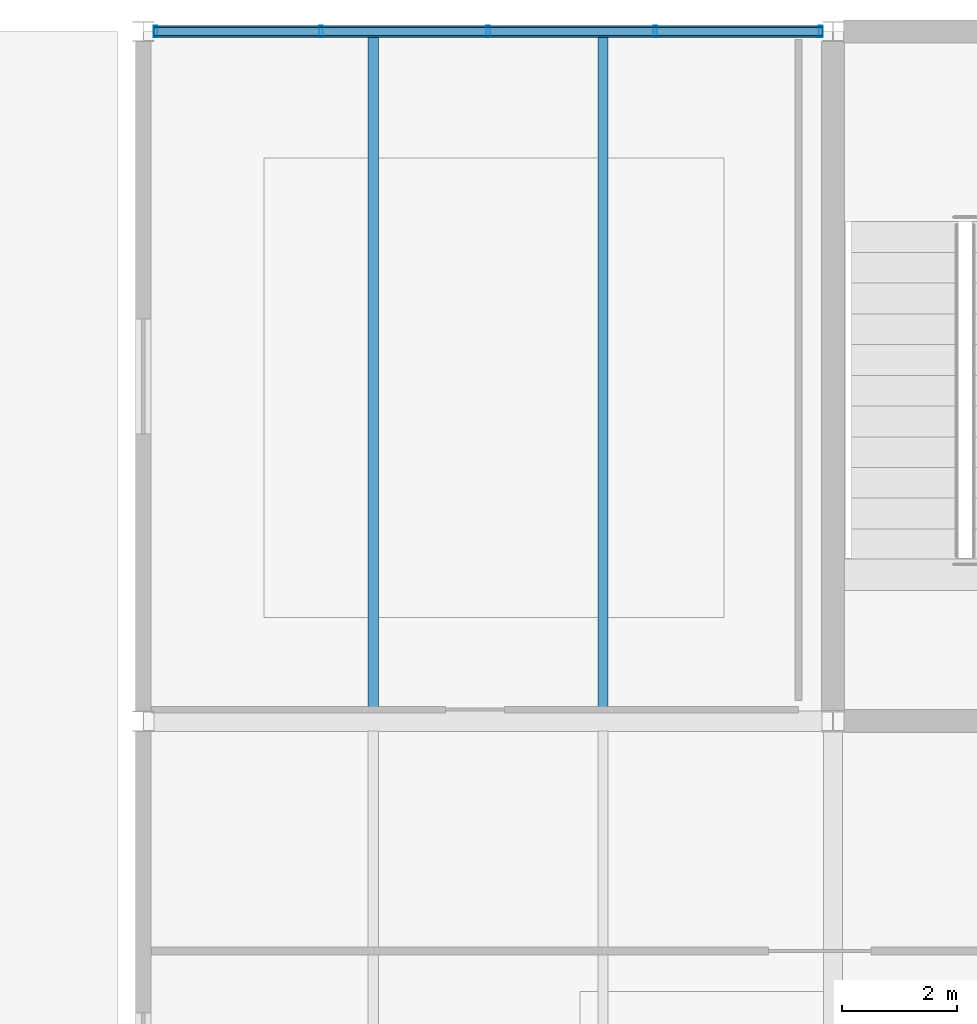
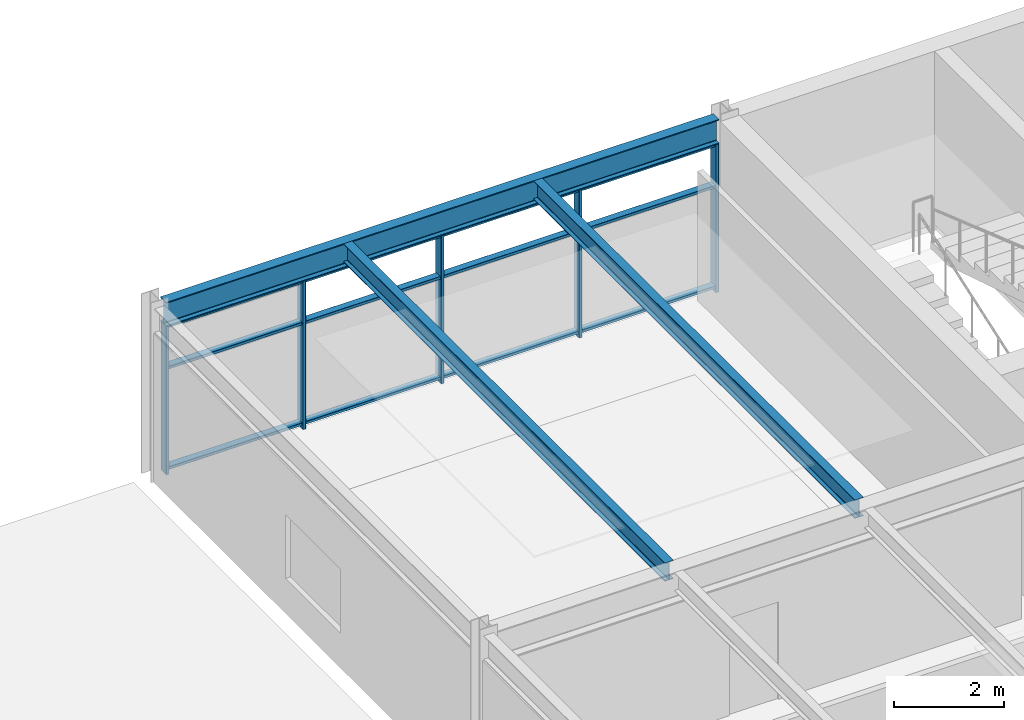
# One storey, part 12 of 30: 8 members, 3 beams, 1 element without a shape of its own.
"""IFC4 building model written with IfcOpenShell, lengths in metres."""

from ifc_helpers import new_model, si_unit, direction, frame, origin, origin_2d, place, context, subcontext, project, spatial, hollow_rectangle, i_section, extrude, material, material_profile, profile_set, type_object, element, aggregate, save


model = new_model("IFC4")

# Units and contexts
model_context = context("Model", 3, precision=1e-05, world=origin(), true_north=direction((0.0, 1.0)))
body_context = subcontext(model_context, "Body", "Model", "MODEL_VIEW")
ifc_project = project(units=[si_unit("LENGTHUNIT", "METRE"), si_unit("AREAUNIT", "SQUARE_METRE"), si_unit("VOLUMEUNIT", "CUBIC_METRE"), si_unit("PLANEANGLEUNIT", "RADIAN"), si_unit("MASSUNIT", "GRAM", prefix="KILO")], contexts=[model_context])

# Site, building, storey
site_placement = place(None, origin())
site = spatial("IfcSite", under=ifc_project, at=site_placement, CompositionType="ELEMENT")
building_placement = place(site_placement, origin())
building = spatial("IfcBuilding", under=site, at=building_placement, Name="Girod Span Mobility Hub", CompositionType="ELEMENT")
storey_placement = place(building_placement, frame((0.0, 0.0, 49.60009765625)))
storey = spatial("IfcBuildingStorey", under=building, at=storey_placement, Name="L12", CompositionType="ELEMENT", Elevation=49.60009765625)

# Beams
ifc_material_1 = material(Name="Steel A992 Grade 50", Category="steel")
ifc_material_profile_1 = material_profile(ifc_material_1, i_section(OverallWidth=0.178955078125, OverallDepth=0.409912109375, WebThickness=0.0087890625, FlangeThickness=0.014404296875, FilletRadius=0.012939453125, at=origin_2d()), Name="W16X45")
ifc_profile_set_1 = profile_set([ifc_material_profile_1], Name="Steel A992 Grade 50")
beam_type_1 = type_object("IfcBeamType", Name="BM-STL-W16X45", PredefinedType="BEAM", material=ifc_profile_set_1)
for number, where, z_axis, x_axis, name in (
    (1, (40.0, 57.174560546875, 3.639892578125), (0.0, 1.0, 0.0), (-1.0, 0.0, 0.0), "Composite Floorbeam 4/E-1 L12"),
    (2, (44.0, 57.174560546875, 3.639892578125), (0.0, 1.0, 0.0), (-1.0, 0.0, 0.0), "Composite Floorbeam 4/E-2 L12"),
):
    element("IfcBeam", number, at=place(storey_placement, frame(where, z_axis=z_axis, x_axis=x_axis)), inside=storey, type_object=beam_type_1, Name=name, PredefinedType="BEAM", context=body_context, shape_type="SweptSolid", body=[
        extrude(i_section(OverallWidth=0.178955078125, OverallDepth=0.409912109375, WebThickness=0.0087890625, FlangeThickness=0.014404296875, FilletRadius=0.012939453125, at=origin_2d()), origin(), (0.0, 0.0, 1.0), 11.722412109375),
    ])
ifc_material_2 = material(Name="Steel A992 Grade 50", Category="steel")
ifc_material_profile_2 = material_profile(ifc_material_2, i_section(OverallWidth=0.2119140625, OverallDepth=0.5439453125, WebThickness=0.01318359375, FlangeThickness=0.021240234375, FilletRadius=0.014892578125, at=origin_2d()), Name="W21X83")
ifc_profile_set_2 = profile_set([ifc_material_profile_2], Name="Steel A992 Grade 50")
beam_type_2 = type_object("IfcBeamType", Name="BM-STL-W21X83", PredefinedType="SPANDREL", material=ifc_profile_set_2)
beam_placement = place(storey_placement, frame((36.181396484375, 69.0, 3.572998046875), z_axis=(1.0, 0.0, 0.0), x_axis=(0.0, 1.0, 0.0)))
element("IfcBeam", 3, at=beam_placement, inside=storey, type_object=beam_type_2, Name="Girder 4-5/F L12", PredefinedType="SPANDREL", context=body_context, shape_type="SweptSolid", body=[
    extrude(i_section(OverallWidth=0.2119140625, OverallDepth=0.5439453125, WebThickness=0.01318359375, FlangeThickness=0.021240234375, FilletRadius=0.014892578125, at=origin_2d()), origin(), (0.0, 0.0, 1.0), 11.63720703125),
])

# Curtain wall, members
ifc_material_3 = material(Name="Thermally Broken Anodised Aluminium", Category="aluminium")
curtain_wall_type = type_object("IfcCurtainWallType", Name="CW-1164X330", PredefinedType="USERDEFINED", material=ifc_material_3)
curtain_wall_placement = place(storey_placement, origin())
curtain_wall = element("IfcCurtainWall", 4, at=curtain_wall_placement, inside=storey, type_object=curtain_wall_type, Name="Unitised Curtain Wall CW-L12-N04 L12", ObjectType="UNITISED CURTAIN WALL", PredefinedType="USERDEFINED")
ifc_material_4 = material(Name="Thermally Broken Anodised Aluminium", Category="aluminium")
ifc_material_profile_3 = material_profile(ifc_material_4, hollow_rectangle(XDim=0.199951171875, YDim=0.06494140625, WallThickness=0.00390625, InnerFilletRadius=0.00390625, OuterFilletRadius=0.008056640625, at=origin_2d()), Name="CW-ML-65X200")
ifc_profile_set_3 = profile_set([ifc_material_profile_3], Name="Thermally Broken Anodised Aluminium")
member_type_1 = type_object("IfcMemberType", Name="CWM-ML-1", PredefinedType="MULLION", material=ifc_profile_set_3)
member_1_placement = place(storey_placement, frame((36.214599609375, 69.0, 0.0), z_axis=(0.0, 0.0, 1.0), x_axis=(0.0, 1.0, 0.0)))
member_1 = element("IfcMember", 5, at=member_1_placement, type_object=member_type_1, Name="Curtain Wall Mullion CW-L12-N04-M0", PredefinedType="MULLION", context=body_context, shape_type="SweptSolid", body=[
    extrude(hollow_rectangle(XDim=0.199951171875, YDim=0.06494140625, WallThickness=0.00390625, InnerFilletRadius=0.00390625, OuterFilletRadius=0.008056640625, at=origin_2d()), origin(), (0.0, 0.0, 1.0), 3.30078125),
])
member_2_placement = place(storey_placement, frame((39.09130859375, 69.0, 0.0), z_axis=(0.0, 0.0, 1.0), x_axis=(0.0, 1.0, 0.0)))
member_2 = element("IfcMember", 6, at=member_2_placement, type_object=member_type_1, Name="Curtain Wall Mullion CW-L12-N04-M1", PredefinedType="MULLION", context=body_context, shape_type="SweptSolid", body=[
    extrude(hollow_rectangle(XDim=0.199951171875, YDim=0.06494140625, WallThickness=0.00390625, InnerFilletRadius=0.00390625, OuterFilletRadius=0.008056640625, at=origin_2d()), origin(), (0.0, 0.0, 1.0), 3.30078125),
])
member_3_placement = place(storey_placement, frame((42.0, 69.0, 0.0), z_axis=(0.0, 0.0, 1.0), x_axis=(0.0, 1.0, 0.0)))
member_3 = element("IfcMember", 7, at=member_3_placement, type_object=member_type_1, Name="Curtain Wall Mullion CW-L12-N04-M2", PredefinedType="MULLION", context=body_context, shape_type="SweptSolid", body=[
    extrude(hollow_rectangle(XDim=0.199951171875, YDim=0.06494140625, WallThickness=0.00390625, InnerFilletRadius=0.00390625, OuterFilletRadius=0.008056640625, at=origin_2d()), origin(), (0.0, 0.0, 1.0), 3.30078125),
])
member_4_placement = place(storey_placement, frame((44.90869140625, 69.0, 0.0), z_axis=(0.0, 0.0, 1.0), x_axis=(0.0, 1.0, 0.0)))
member_4 = element("IfcMember", 8, at=member_4_placement, type_object=member_type_1, Name="Curtain Wall Mullion CW-L12-N04-M3", PredefinedType="MULLION", context=body_context, shape_type="SweptSolid", body=[
    extrude(hollow_rectangle(XDim=0.199951171875, YDim=0.06494140625, WallThickness=0.00390625, InnerFilletRadius=0.00390625, OuterFilletRadius=0.008056640625, at=origin_2d()), origin(), (0.0, 0.0, 1.0), 3.30078125),
])
member_5_placement = place(storey_placement, frame((47.785400390625, 69.0, 0.0), z_axis=(0.0, 0.0, 1.0), x_axis=(0.0, 1.0, 0.0)))
member_5 = element("IfcMember", 9, at=member_5_placement, type_object=member_type_1, Name="Curtain Wall Mullion CW-L12-N04-M4", PredefinedType="MULLION", context=body_context, shape_type="SweptSolid", body=[
    extrude(hollow_rectangle(XDim=0.199951171875, YDim=0.06494140625, WallThickness=0.00390625, InnerFilletRadius=0.00390625, OuterFilletRadius=0.008056640625, at=origin_2d()), origin(), (0.0, 0.0, 1.0), 3.30078125),
])
ifc_material_5 = material(Name="Thermally Broken Anodised Aluminium", Category="aluminium")
ifc_material_profile_4 = material_profile(ifc_material_5, hollow_rectangle(XDim=0.14990234375, YDim=0.06494140625, WallThickness=0.00390625, InnerFilletRadius=0.00390625, OuterFilletRadius=0.008056640625, at=origin_2d()), Name="CW-TR-65X150")
ifc_profile_set_4 = profile_set([ifc_material_profile_4], Name="Thermally Broken Anodised Aluminium")
member_type_2 = type_object("IfcMemberType", Name="CWM-TR-1", PredefinedType="USERDEFINED", material=ifc_profile_set_4)
member_6_placement = place(storey_placement, frame((36.1826171875, 69.0, 0.107421875), z_axis=(1.0, 0.0, 0.0), x_axis=(0.0, 1.0, 0.0)))
member_6 = element("IfcMember", 10, at=member_6_placement, type_object=member_type_2, Name="Curtain Wall Transom CW-L12-N04-T1", ObjectType="TRANSOM", PredefinedType="USERDEFINED", context=body_context, shape_type="SweptSolid", body=[
    extrude(hollow_rectangle(XDim=0.14990234375, YDim=0.06494140625, WallThickness=0.00390625, InnerFilletRadius=0.00390625, OuterFilletRadius=0.008056640625, at=origin_2d()), origin(), (0.0, 0.0, 1.0), 11.634765625),
])
member_7_placement = place(storey_placement, frame((36.1826171875, 69.0, 2.343994140625), z_axis=(1.0, 0.0, 0.0), x_axis=(0.0, 1.0, 0.0)))
member_7 = element("IfcMember", 11, at=member_7_placement, type_object=member_type_2, Name="Curtain Wall Transom CW-L12-N04-T2", ObjectType="TRANSOM", PredefinedType="USERDEFINED", context=body_context, shape_type="SweptSolid", body=[
    extrude(hollow_rectangle(XDim=0.14990234375, YDim=0.06494140625, WallThickness=0.00390625, InnerFilletRadius=0.00390625, OuterFilletRadius=0.008056640625, at=origin_2d()), origin(), (0.0, 0.0, 1.0), 11.634765625),
])
member_8_placement = place(storey_placement, frame((36.1826171875, 69.0, 3.268310546875), z_axis=(1.0, 0.0, 0.0), x_axis=(0.0, 1.0, 0.0)))
member_8 = element("IfcMember", 12, at=member_8_placement, type_object=member_type_2, Name="Curtain Wall Transom CW-L12-N04-T3", ObjectType="TRANSOM", PredefinedType="USERDEFINED", context=body_context, shape_type="SweptSolid", body=[
    extrude(hollow_rectangle(XDim=0.14990234375, YDim=0.06494140625, WallThickness=0.00390625, InnerFilletRadius=0.00390625, OuterFilletRadius=0.008056640625, at=origin_2d()), origin(), (0.0, 0.0, 1.0), 11.634765625),
])
aggregate(curtain_wall, [member_1, member_2, member_3, member_4, member_5, member_6, member_7, member_8])

save(model, "model.ifc")
